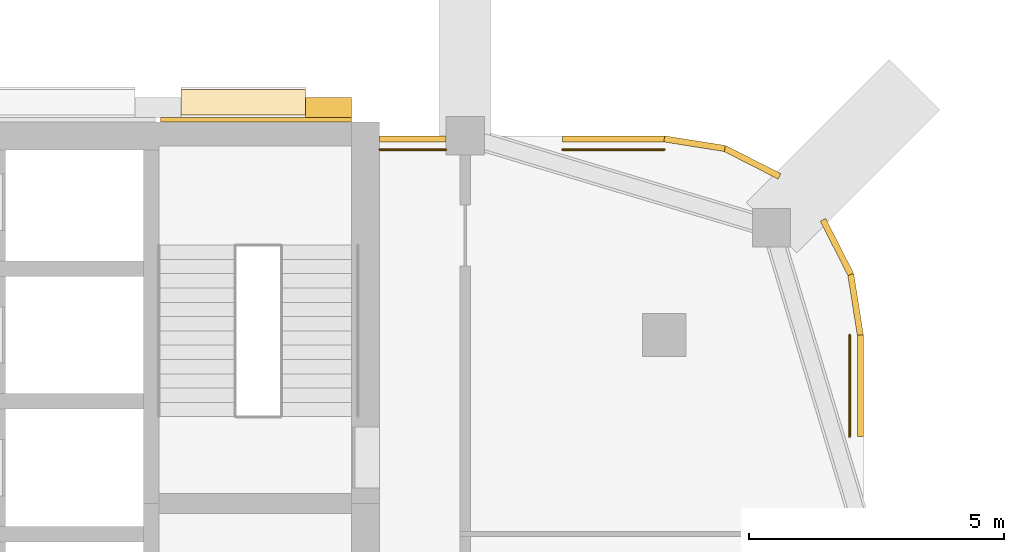
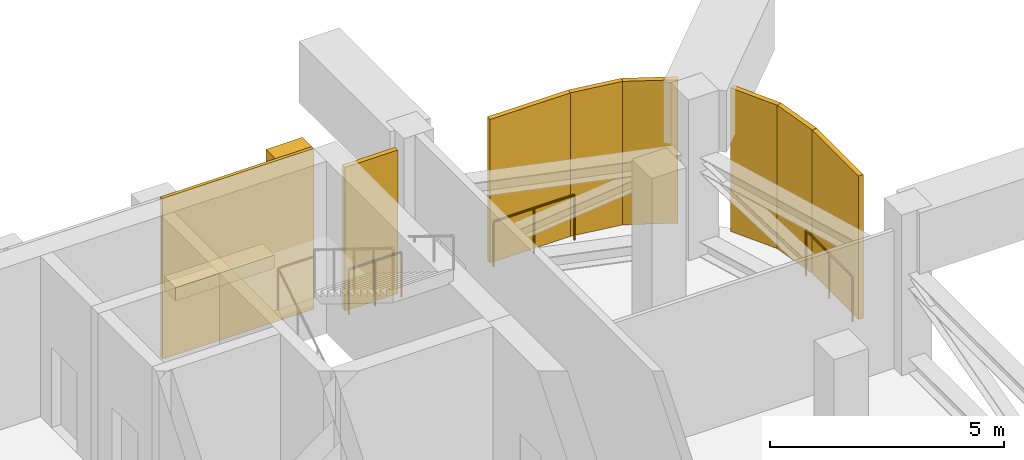
# One storey, part 13 of 13: 7 shading devices, 3 coverings, 3 railings.
"""IFC4 building model written with IfcOpenShell, lengths in metres."""

from ifc_helpers import new_model, si_unit, direction, frame, frame_2d, origin, origin_2d, place, context, subcontext, project, spatial, rectangle, circle, extrude, material, layer, layer_set, type_object, element, save


model = new_model("IFC4")

# Units and contexts
model_context = context("Model", 3, precision=1e-05, world=origin(), true_north=direction((0.0, 1.0)))
body_context = subcontext(model_context, "Body", "Model", "MODEL_VIEW")
ifc_project = project(units=[si_unit("LENGTHUNIT", "METRE"), si_unit("AREAUNIT", "SQUARE_METRE"), si_unit("VOLUMEUNIT", "CUBIC_METRE"), si_unit("PLANEANGLEUNIT", "RADIAN"), si_unit("MASSUNIT", "GRAM", prefix="KILO")], contexts=[model_context])

# Site, building, storey
site_placement = place(None, origin())
site = spatial("IfcSite", under=ifc_project, at=site_placement, CompositionType="ELEMENT")
building_placement = place(site_placement, origin())
building = spatial("IfcBuilding", under=site, at=building_placement, Name="Ludao Terraces", CompositionType="ELEMENT")
storey_placement = place(building_placement, frame((0.0, 0.0, 192.800048828125)))
storey = spatial("IfcBuildingStorey", under=building, at=storey_placement, Name="L52", CompositionType="ELEMENT", Elevation=192.800048828125)

# Coverings
ifc_material_1 = material(Name="Granite cladding", Category="masonry")
ifc_layer_1 = layer(ifc_material_1, 0.39990234375)
ifc_layer_set_1 = layer_set([ifc_layer_1], Name="ENV Core pilaster stone 400")
covering_type_1 = type_object("IfcCoveringType", Name="ENV Core pilaster stone 400", PredefinedType="CLADDING", material=ifc_layer_set_1)
covering_1_placement = place(storey_placement, frame((94.02490234375, 85.054931640625, 0.0), z_axis=(0.0, 0.0, 1.0), x_axis=(1.0, 0.0, 0.0)))
element("IfcCovering", 1, at=covering_1_placement, inside=storey, type_object=covering_type_1, Name="CC-L52-PIL6", PredefinedType="CLADDING", context=body_context, shape_type="SweptSolid", body=[
    extrude(rectangle(XDim=0.89990234375, YDim=0.39990234375, at=origin_2d()), origin(), (0.0, 0.0, 1.0), 4.199951171875),
])
ifc_layer_2 = layer(ifc_material_1, 0.080078125)
ifc_layer_set_2 = layer_set([ifc_layer_2], Name="ENV Core stone cladding panel 80")
covering_type_2 = type_object("IfcCoveringType", Name="ENV Core stone cladding panel 80", PredefinedType="CLADDING", material=ifc_layer_set_2)
covering_2_placement = place(storey_placement, frame((92.60498046875, 84.81494140625, 0.0), z_axis=(0.0, 0.0, 1.0), x_axis=(1.0, 0.0, 0.0)))
element("IfcCovering", 2, at=covering_2_placement, inside=storey, type_object=covering_type_2, Name="CC-L52-CORE5", PredefinedType="CLADDING", context=body_context, shape_type="SweptSolid", body=[
    extrude(rectangle(XDim=3.739990234375, YDim=0.080078125, at=origin_2d()), origin(), (0.0, 0.0, 1.0), 4.199951171875),
])

# Shading devices
ifc_material_2 = material(Name="Aluminium 6063-T6", Category="aluminium")
ifc_layer_3 = layer(ifc_material_2, 0.1201171875)
ifc_layer_set_3 = layer_set([ifc_layer_3], Name="ENV Louvre screen 120")
shading_device_type = type_object("IfcShadingDeviceType", Name="ENV Louvre screen 120", PredefinedType="USERDEFINED", material=ifc_layer_set_3)
shading_device_1_placement = place(storey_placement, frame((104.43994140625, 78.60791015625, 0.0), z_axis=(0.0, 0.0, 1.0), x_axis=(0.0, 1.0, 0.0)))
element("IfcShadingDevice", 3, at=shading_device_1_placement, inside=storey, type_object=shading_device_type, Name="LV-L52-E5", ObjectType="LOUVRE", PredefinedType="USERDEFINED", context=body_context, shape_type="SweptSolid", body=[
    extrude(rectangle(XDim=1.9921875, YDim=0.1201171875, at=frame_2d((0.99609375, 0.0))), origin(), (0.0, 0.0, 1.0), 3.75),
])
shading_device_2_placement = place(storey_placement, frame((95.02490234375, 84.43994140625, 0.0), z_axis=(0.0, 0.0, 1.0), x_axis=(1.0, 0.0, 0.0)))
element("IfcShadingDevice", 4, at=shading_device_2_placement, inside=storey, type_object=shading_device_type, Name="LV-L52-N3", ObjectType="LOUVRE", PredefinedType="USERDEFINED", context=body_context, shape_type="SweptSolid", body=[
    extrude(rectangle(XDim=1.300048828125, YDim=0.1201171875, at=frame_2d((0.64990234375, 0.0))), origin(), (0.0, 0.0, 1.0), 3.75),
])
shading_device_3_placement = place(storey_placement, frame((98.60791015625, 84.43994140625, 0.0), z_axis=(0.0, 0.0, 1.0), x_axis=(1.0, 0.0, 0.0)))
element("IfcShadingDevice", 5, at=shading_device_3_placement, inside=storey, type_object=shading_device_type, Name="LV-L52-N4", ObjectType="LOUVRE", PredefinedType="USERDEFINED", context=body_context, shape_type="SweptSolid", body=[
    extrude(rectangle(XDim=1.9921875, YDim=0.1201171875, at=frame_2d((0.99609375, 0.0))), origin(), (0.0, 0.0, 1.0), 3.75),
])
for number, where, z_axis, x_axis, name in (
    (6, (104.43994140625, 80.60009765625, 0.0), (0.0, 0.0, 1.0), (-0.156484349296, 0.987680438414, 0.0), "LV-L52-NE1"),
    (7, (104.251953125, 81.78662109375, 0.0), (0.0, 0.0, 1.0), (-0.453947089066, 0.891028641699, 0.0), "LV-L52-NE2"),
    (8, (102.857177734375, 83.70654296875, 0.0), (0.0, 0.0, 1.0), (-0.891028641699, 0.453947089066, 0.0), "LV-L52-NE4"),
    (9, (101.78662109375, 84.251953125, 0.0), (0.0, 0.0, 1.0), (-0.987680438414, 0.156484349296, 0.0), "LV-L52-NE5"),
):
    element("IfcShadingDevice", number, at=place(storey_placement, frame(where, z_axis=z_axis, x_axis=x_axis)), inside=storey, type_object=shading_device_type, Name=name, ObjectType="LOUVRE", PredefinedType="USERDEFINED", context=body_context, shape_type="SweptSolid", body=[
        extrude(rectangle(XDim=1.201416015625, YDim=0.1201171875, at=frame_2d((0.6005859375, 0.0))), origin(), (0.0, 0.0, 1.0), 3.75),
    ])

# Railings
ifc_material_3 = material(Name="Steel Q235", Category="steel")
railing_type = type_object("IfcRailingType", Name="ENV Open-edge guard 1200", PredefinedType="GUARDRAIL", material=ifc_material_3)
railing_1_placement = place(storey_placement, frame((104.22998046875, 78.60791015625, 0.0)))
element("IfcRailing", 10, at=railing_1_placement, inside=storey, type_object=railing_type, Name="Guard L52 E5", PredefinedType="GUARDRAIL", context=body_context, shape_type="SweptSolid", body=[
    extrude(circle(Radius=0.02392578125, at=origin_2d()), frame((0.0, 0.0, 1.17578125), z_axis=(0.0, 1.0, 0.0), x_axis=(-1.0, 0.0, 0.0)), (0.0, 0.0, 1.0), 1.9921875),
    extrude(circle(Radius=0.02099609375, at=origin_2d()), origin(), (0.0, 0.0, 1.0), 1.15185546875),
    extrude(circle(Radius=0.02099609375, at=origin_2d()), frame((0.0, 0.99609375, 0.0)), (0.0, 0.0, 1.0), 1.15185546875),
    extrude(circle(Radius=0.02099609375, at=origin_2d()), frame((0.0, 1.9921875, 0.0)), (0.0, 0.0, 1.0), 1.15185546875),
])
railing_2_placement = place(storey_placement, frame((95.02490234375, 84.22998046875, 0.0)))
element("IfcRailing", 11, at=railing_2_placement, inside=storey, type_object=railing_type, Name="Guard L52 N3", PredefinedType="GUARDRAIL", context=body_context, shape_type="SweptSolid", body=[
    extrude(circle(Radius=0.02392578125, at=origin_2d()), frame((0.0, 0.0, 1.17578125), z_axis=(1.0, 0.0, 0.0), x_axis=(0.0, 1.0, 0.0)), (0.0, 0.0, 1.0), 1.300048828125),
    extrude(circle(Radius=0.02099609375, at=origin_2d()), origin(), (0.0, 0.0, 1.0), 1.15185546875),
    extrude(circle(Radius=0.02099609375, at=origin_2d()), frame((0.64990234375, 0.0, 0.0)), (0.0, 0.0, 1.0), 1.15185546875),
    extrude(circle(Radius=0.02099609375, at=origin_2d()), frame((1.300048828125, 0.0, 0.0)), (0.0, 0.0, 1.0), 1.15185546875),
])
railing_3_placement = place(storey_placement, frame((98.60791015625, 84.22998046875, 0.0)))
element("IfcRailing", 12, at=railing_3_placement, inside=storey, type_object=railing_type, Name="Guard L52 N4", PredefinedType="GUARDRAIL", context=body_context, shape_type="SweptSolid", body=[
    extrude(circle(Radius=0.02392578125, at=origin_2d()), frame((0.0, 0.0, 1.17578125), z_axis=(1.0, 0.0, 0.0), x_axis=(0.0, 1.0, 0.0)), (0.0, 0.0, 1.0), 1.9921875),
    extrude(circle(Radius=0.02099609375, at=origin_2d()), origin(), (0.0, 0.0, 1.0), 1.15185546875),
    extrude(circle(Radius=0.02099609375, at=origin_2d()), frame((0.99609375, 0.0, 0.0)), (0.0, 0.0, 1.0), 1.15185546875),
    extrude(circle(Radius=0.02099609375, at=origin_2d()), frame((1.9921875, 0.0, 0.0)), (0.0, 0.0, 1.0), 1.15185546875),
])

# Covering
ifc_material_4 = material(Name="Planting")
ifc_layer_4 = layer(ifc_material_4, 0.5)
ifc_layer_set_4 = layer_set([ifc_layer_4], Name="ENV Shelf planting bed 350")
covering_type_3 = type_object("IfcCoveringType", Name="ENV Shelf planting bed 350", PredefinedType="USERDEFINED", material=ifc_layer_set_4)
covering_3_placement = place(storey_placement, frame((92.35498046875, 85.155029296875, 1.2998046875), z_axis=(0.0, 0.0, 1.0), x_axis=(1.0, 0.0, 0.0)))
element("IfcCovering", 13, at=covering_3_placement, inside=storey, type_object=covering_type_3, Name="Shelf planting bed L52 5", ObjectType="PLANTING", PredefinedType="USERDEFINED", context=body_context, shape_type="SweptSolid", body=[
    extrude(rectangle(XDim=2.43994140625, YDim=0.5, at=origin_2d()), origin(), (0.0, 0.0, 1.0), 0.35009765625),
])

save(model, "model.ifc")
